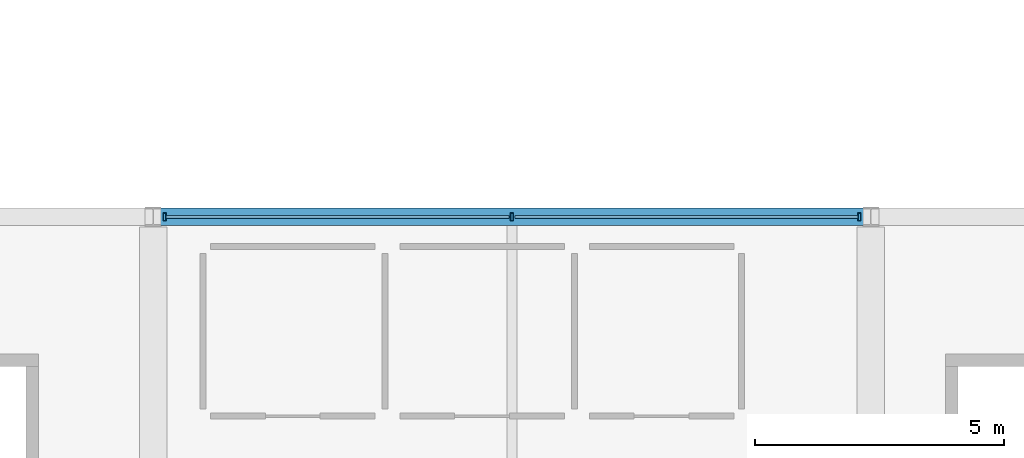
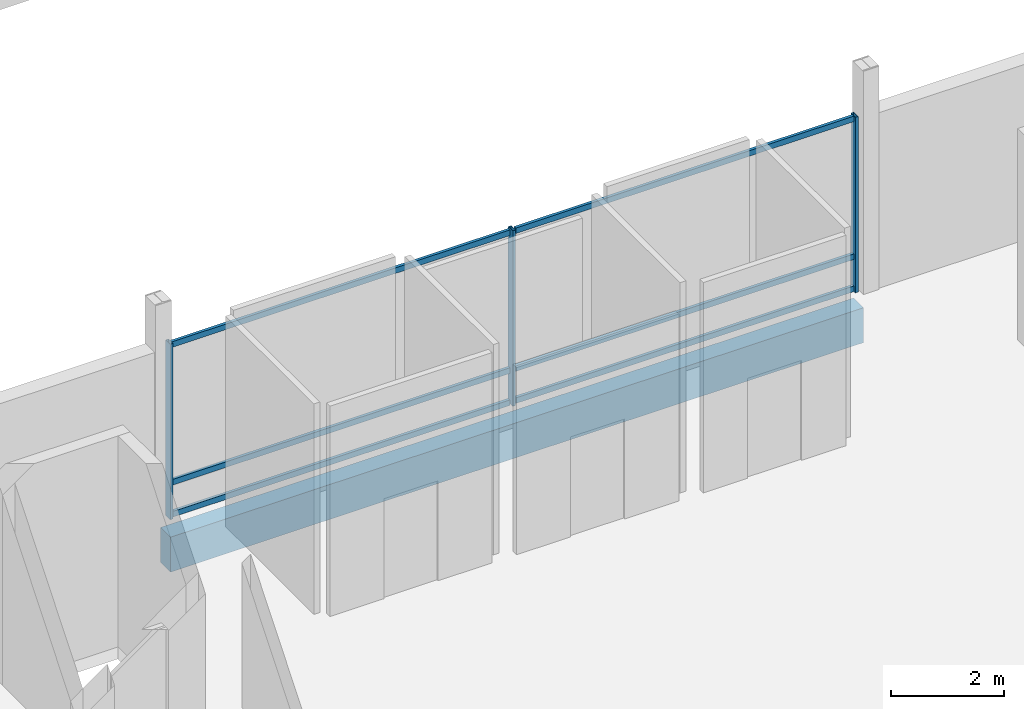
# One storey, part 27 of 193: 9 members, 1 beam, 1 element without a shape of its own.
"""IFC4 building model written with IfcOpenShell, lengths in metres."""

from ifc_helpers import new_model, si_unit, direction, frame, origin, origin_2d, place, context, subcontext, project, spatial, rectangle, hollow_rectangle, extrude, material, material_profile, profile_set, type_object, element, aggregate, save


model = new_model("IFC4")

# Units and contexts
model_context = context("Model", 3, precision=1e-05, world=origin(), true_north=direction((0.0, 1.0)))
body_context = subcontext(model_context, "Body", "Model", "MODEL_VIEW")
ifc_project = project(units=[si_unit("LENGTHUNIT", "METRE"), si_unit("AREAUNIT", "SQUARE_METRE"), si_unit("VOLUMEUNIT", "CUBIC_METRE"), si_unit("PLANEANGLEUNIT", "RADIAN"), si_unit("MASSUNIT", "GRAM", prefix="KILO")], contexts=[model_context])

# Site, building, storey
site_placement = place(None, origin())
site = spatial("IfcSite", under=ifc_project, at=site_placement, CompositionType="ELEMENT")
building_placement = place(site_placement, origin())
building = spatial("IfcBuilding", under=site, at=building_placement, Name="Cendralis Lancet Convention Centre", CompositionType="ELEMENT")
storey_placement = place(building_placement, frame((0.0, 0.0, 10.199951171875)))
storey = spatial("IfcBuildingStorey", under=building, at=storey_placement, Name="L02", CompositionType="ELEMENT", Elevation=10.199951171875)

# Curtain wall, members
ifc_material_1 = material(Name="Anodised bronze architectural aluminium", Category="aluminium")
curtain_wall_type = type_object("IfcCurtainWallType", Name="ARC-CW-CL02", PredefinedType="USERDEFINED", material=ifc_material_1)
curtain_wall_placement = place(storey_placement, origin())
curtain_wall = element("IfcCurtainWall", 1, at=curtain_wall_placement, inside=storey, type_object=curtain_wall_type, Name="L02 Curtain Wall CW-CL2 #171", ObjectType="CURTAIN WALL", PredefinedType="USERDEFINED")
ifc_material_profile_1 = material_profile(ifc_material_1, hollow_rectangle(XDim=0.06005859375, YDim=0.159912109375, WallThickness=0.00390625, at=origin_2d()), Name="AL-MULL 60x160x4.0")
ifc_profile_set_1 = profile_set([ifc_material_profile_1], Name="Anodised bronze architectural aluminium")
member_type_1 = type_object("IfcMemberType", Name="ARC-CW-ML01", PredefinedType="MULLION", material=ifc_profile_set_1)
member_1_placement = place(storey_placement, frame((43.429931640625, 36.0, 0.0), z_axis=(0.0, 0.0, 1.0), x_axis=(1.0, 0.0, 0.0)))
member_1 = element("IfcMember", 2, at=member_1_placement, type_object=member_type_1, Name="Mullion CW2-CW-CL2-L02-171-M0", PredefinedType="MULLION", context=body_context, shape_type="SweptSolid", body=[
    extrude(hollow_rectangle(XDim=0.06005859375, YDim=0.159912109375, WallThickness=0.00390625, at=origin_2d()), origin(), (0.0, 0.0, 1.0), 3.775146484375),
])
member_2_placement = place(storey_placement, frame((50.39990234375, 36.0, 0.0), z_axis=(0.0, 0.0, 1.0), x_axis=(1.0, 0.0, 0.0)))
member_2 = element("IfcMember", 3, at=member_2_placement, type_object=member_type_1, Name="Mullion CW2-CW-CL2-L02-171-M1", PredefinedType="MULLION", context=body_context, shape_type="SweptSolid", body=[
    extrude(hollow_rectangle(XDim=0.06005859375, YDim=0.159912109375, WallThickness=0.00390625, at=origin_2d()), origin(), (0.0, 0.0, 1.0), 3.775146484375),
])
member_3_placement = place(storey_placement, frame((57.3701171875, 36.0, 0.0), z_axis=(0.0, 0.0, 1.0), x_axis=(1.0, 0.0, 0.0)))
member_3 = element("IfcMember", 4, at=member_3_placement, type_object=member_type_1, Name="Mullion CW2-CW-CL2-L02-171-M2", PredefinedType="MULLION", context=body_context, shape_type="SweptSolid", body=[
    extrude(hollow_rectangle(XDim=0.06005859375, YDim=0.159912109375, WallThickness=0.00390625, at=origin_2d()), origin(), (0.0, 0.0, 1.0), 3.775146484375),
])
ifc_material_profile_2 = material_profile(ifc_material_1, hollow_rectangle(XDim=0.06005859375, YDim=0.1201171875, WallThickness=0.00390625, at=origin_2d()), Name="AL-TRAN 60x120x4.0")
ifc_profile_set_2 = profile_set([ifc_material_profile_2], Name="Anodised bronze architectural aluminium")
member_type_2 = type_object("IfcMemberType", Name="ARC-CW-TR01", PredefinedType="USERDEFINED", material=ifc_profile_set_2)
member_4_placement = place(storey_placement, frame((43.4599609375, 36.0, 0.06005859375), z_axis=(1.0, 0.0, 0.0), x_axis=(0.0, 1.0, 0.0)))
member_4 = element("IfcMember", 5, at=member_4_placement, type_object=member_type_2, Name="Transom CW2-CW-CL2-L02-171-T0BOT", ObjectType="TRANSOM", PredefinedType="USERDEFINED", context=body_context, shape_type="SweptSolid", body=[
    extrude(hollow_rectangle(XDim=0.06005859375, YDim=0.1201171875, WallThickness=0.00390625, at=origin_2d()), origin(), (0.0, 0.0, 1.0), 6.880126953125),
])
member_5_placement = place(storey_placement, frame((43.4599609375, 36.0, 0.75), z_axis=(1.0, 0.0, 0.0), x_axis=(0.0, 1.0, 0.0)))
member_5 = element("IfcMember", 6, at=member_5_placement, type_object=member_type_2, Name="Transom CW2-CW-CL2-L02-171-T0MID", ObjectType="TRANSOM", PredefinedType="USERDEFINED", context=body_context, shape_type="SweptSolid", body=[
    extrude(hollow_rectangle(XDim=0.06005859375, YDim=0.1201171875, WallThickness=0.00390625, at=origin_2d()), origin(), (0.0, 0.0, 1.0), 6.880126953125),
])
member_6_placement = place(storey_placement, frame((43.4599609375, 36.0, 3.715087890625), z_axis=(1.0, 0.0, 0.0), x_axis=(0.0, 1.0, 0.0)))
member_6 = element("IfcMember", 7, at=member_6_placement, type_object=member_type_2, Name="Transom CW2-CW-CL2-L02-171-T0TOP", ObjectType="TRANSOM", PredefinedType="USERDEFINED", context=body_context, shape_type="SweptSolid", body=[
    extrude(hollow_rectangle(XDim=0.06005859375, YDim=0.1201171875, WallThickness=0.00390625, at=origin_2d()), origin(), (0.0, 0.0, 1.0), 6.880126953125),
])
member_7_placement = place(storey_placement, frame((50.4599609375, 36.0, 0.06005859375), z_axis=(1.0, 0.0, 0.0), x_axis=(0.0, 1.0, 0.0)))
member_7 = element("IfcMember", 8, at=member_7_placement, type_object=member_type_2, Name="Transom CW2-CW-CL2-L02-171-T1BOT", ObjectType="TRANSOM", PredefinedType="USERDEFINED", context=body_context, shape_type="SweptSolid", body=[
    extrude(hollow_rectangle(XDim=0.06005859375, YDim=0.1201171875, WallThickness=0.00390625, at=origin_2d()), origin(), (0.0, 0.0, 1.0), 6.880126953125),
])
member_8_placement = place(storey_placement, frame((50.4599609375, 36.0, 0.75), z_axis=(1.0, 0.0, 0.0), x_axis=(0.0, 1.0, 0.0)))
member_8 = element("IfcMember", 9, at=member_8_placement, type_object=member_type_2, Name="Transom CW2-CW-CL2-L02-171-T1MID", ObjectType="TRANSOM", PredefinedType="USERDEFINED", context=body_context, shape_type="SweptSolid", body=[
    extrude(hollow_rectangle(XDim=0.06005859375, YDim=0.1201171875, WallThickness=0.00390625, at=origin_2d()), origin(), (0.0, 0.0, 1.0), 6.880126953125),
])
member_9_placement = place(storey_placement, frame((50.4599609375, 36.0, 3.715087890625), z_axis=(1.0, 0.0, 0.0), x_axis=(0.0, 1.0, 0.0)))
member_9 = element("IfcMember", 10, at=member_9_placement, type_object=member_type_2, Name="Transom CW2-CW-CL2-L02-171-T1TOP", ObjectType="TRANSOM", PredefinedType="USERDEFINED", context=body_context, shape_type="SweptSolid", body=[
    extrude(hollow_rectangle(XDim=0.06005859375, YDim=0.1201171875, WallThickness=0.00390625, at=origin_2d()), origin(), (0.0, 0.0, 1.0), 6.880126953125),
])
aggregate(curtain_wall, [member_1, member_2, member_3, member_4, member_5, member_6, member_7, member_8, member_9])

# Beam
ifc_material_2 = material(Name="Concrete G40 (C40/50)", Category="concrete")
ifc_material_profile_3 = material_profile(ifc_material_2, rectangle(XDim=0.35009765625, YDim=0.75, at=origin_2d()), Name="RCB 350x750")
ifc_profile_set_3 = profile_set([ifc_material_profile_3], Name="Concrete G40 (C40/50)")
beam_type = type_object("IfcBeamType", Name="STR-SP-SP01", PredefinedType="SPANDREL", material=ifc_profile_set_3)
beam_placement = place(storey_placement, frame((43.35009765625, 36.0, -0.675048828125), z_axis=(1.0, 0.0, 0.0), x_axis=(0.0, 1.0, 0.0)))
element("IfcBeam", 11, at=beam_placement, inside=storey, type_object=beam_type, Name="L02 Beam SP01 #0845", PredefinedType="SPANDREL", context=body_context, shape_type="SweptSolid", body=[
    extrude(rectangle(XDim=0.35009765625, YDim=0.75, at=origin_2d()), origin(), (0.0, 0.0, 1.0), 14.099853515625),
])

save(model, "model.ifc")
